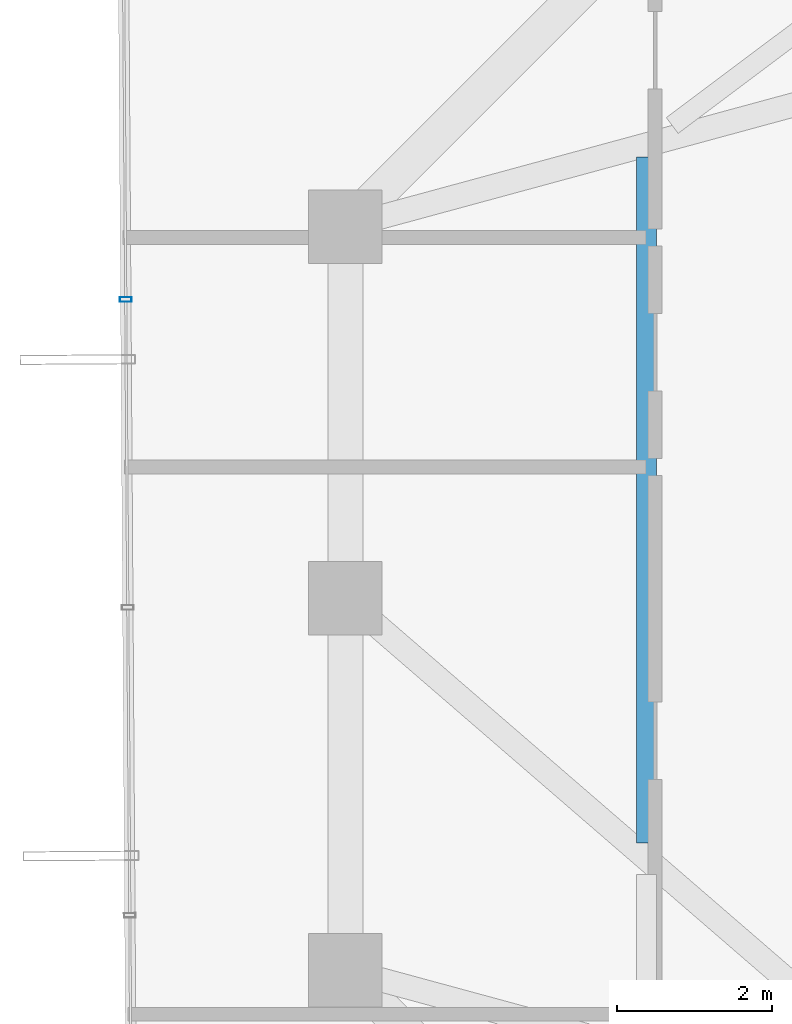
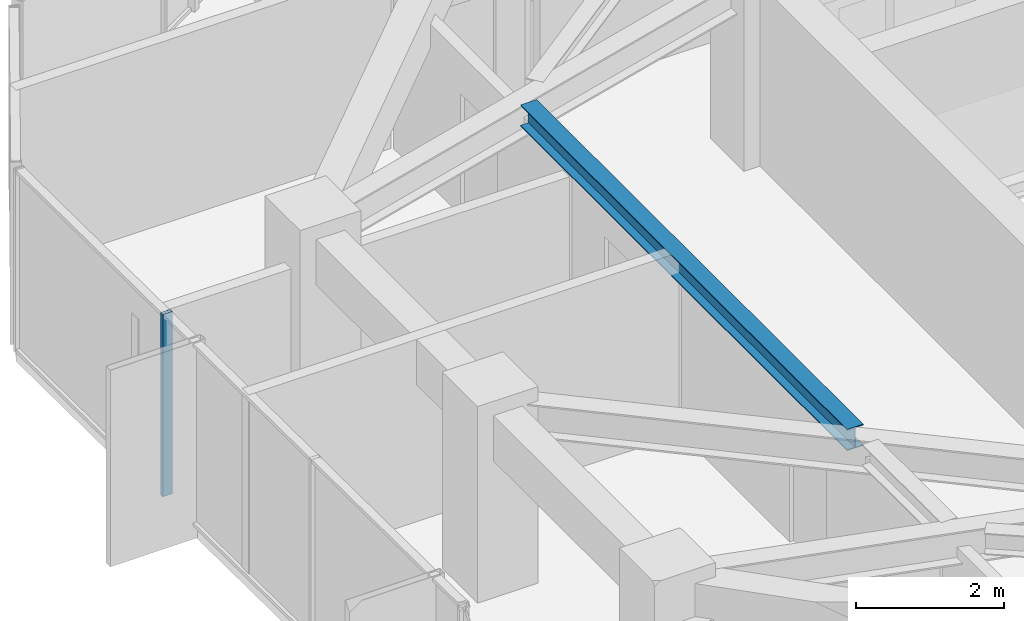
# One storey, part 13 of 31: 1 beam, 1 member, 1 element without a shape of its own.
"""IFC4 building model written with IfcOpenShell, lengths in metres."""

from ifc_helpers import new_model, si_unit, direction, frame, origin, origin_2d, place, context, subcontext, project, spatial, hollow_rectangle, i_section, extrude, source, transform, mapped, material, layer, layer_set, material_profile, profile_set, type_object, element, aggregate, save


model = new_model("IFC4")

# Units and contexts
model_context = context("Model", 3, precision=1e-05, world=origin(), true_north=direction((0.0, 1.0)))
body_context = subcontext(model_context, "Body", "Model", "MODEL_VIEW")
ifc_project = project(units=[si_unit("LENGTHUNIT", "METRE"), si_unit("AREAUNIT", "SQUARE_METRE"), si_unit("VOLUMEUNIT", "CUBIC_METRE"), si_unit("PLANEANGLEUNIT", "RADIAN"), si_unit("MASSUNIT", "GRAM", prefix="KILO")], contexts=[model_context])

# Site, building, storey
site_placement = place(None, origin())
site = spatial("IfcSite", under=ifc_project, at=site_placement, CompositionType="ELEMENT")
building_placement = place(site_placement, origin())
building = spatial("IfcBuilding", under=site, at=building_placement, Name="Veraguas Prism Commons", CompositionType="ELEMENT")
storey_placement = place(building_placement, frame((0.0, 0.0, 204.85009765625)))
storey = spatial("IfcBuildingStorey", under=building, at=storey_placement, Name="L58", CompositionType="ELEMENT", Elevation=204.85009765625)

# Beam
ifc_material_1 = material(Name="Steel ASTM A992 Grade 50", Category="steel")
ifc_material_profile_1 = material_profile(ifc_material_1, i_section(OverallWidth=0.25390625, OverallDepth=0.35302734375, WebThickness=0.009521484375, FlangeThickness=0.016357421875, at=origin_2d()), Name="W360X91")
ifc_profile_set_1 = profile_set([ifc_material_profile_1], Name="Steel ASTM A992 Grade 50")
beam_type = type_object("IfcBeamType", Name="Upper Floor Joist W360x91", PredefinedType="JOIST", material=ifc_profile_set_1)
beam_placement = place(storey_placement, frame((12.988037109375, 29.697021484375, 2.83837890625), z_axis=(0.0, -1.0, 0.0), x_axis=(1.0, 0.0, 0.0)))
element("IfcBeam", 1, at=beam_placement, inside=storey, type_object=beam_type, Name="Composite Floor Joist L58-JS07", PredefinedType="JOIST", context=body_context, shape_type="SweptSolid", body=[
    extrude(i_section(OverallWidth=0.25390625, OverallDepth=0.35302734375, WebThickness=0.009521484375, FlangeThickness=0.016357421875, at=origin_2d()), origin(), (0.0, 0.0, 1.0), 8.85400390625),
])

# Curtain wall, member
ifc_material_2 = material(Name="Anodised aluminium EN AW-6063 T6", Category="aluminium")
ifc_layer = layer(ifc_material_2, 0.14990234375, Name="Unitised Flush Curtain Wall Zone 3", Category="aluminium")
ifc_layer_set = layer_set([ifc_layer], Name="Anodised aluminium EN AW-6063 T6")
curtain_wall_type = type_object("IfcCurtainWallType", Name="Unitised Flush Curtain Wall Zone 3", PredefinedType="NOTDEFINED", material=ifc_layer_set)
curtain_wall_placement = place(storey_placement, origin())
curtain_wall = element("IfcCurtainWall", 2, at=curtain_wall_placement, inside=storey, type_object=curtain_wall_type, Name="Tower Facade Curtain Wall L58-F3", PredefinedType="NOTDEFINED")
ifc_material_profile_2 = material_profile(ifc_material_2, hollow_rectangle(XDim=0.06005859375, YDim=0.14990234375, WallThickness=0.0029296875, at=origin_2d()), Name="AL60X150X3")
ifc_profile_set_2 = profile_set([ifc_material_profile_2], Name="Anodised aluminium EN AW-6063 T6")
member_type = type_object("IfcMemberType", Name="Curtain Wall Mullion Upper AL 60x150x3", PredefinedType="MULLION", material=ifc_profile_set_2)
shared_shape = source(origin(), body_context, "Body", "SweptSolid", [
    extrude(hollow_rectangle(XDim=0.06005859375, YDim=0.14990234375, WallThickness=0.0029296875, at=origin_2d()), origin(), (0.0, 0.0, 1.0), 3.014892578125),
])
member_placement = place(storey_placement, frame((6.263671875, 27.858154296875, 0.0), z_axis=(0.0, 0.0, 1.0), x_axis=(0.006633947827, -0.999977995126, 0.0)))
member = element("IfcMember", 3, at=member_placement, type_object=member_type, Name="CW-Z3 Mullion 2", PredefinedType="MULLION", context=body_context, shape_type="MappedRepresentation", body=[
    mapped(shared_shape, transform((0.0, 0.0, 0.0), scale=1.0)),
])
aggregate(curtain_wall, [member])

save(model, "model.ifc")
